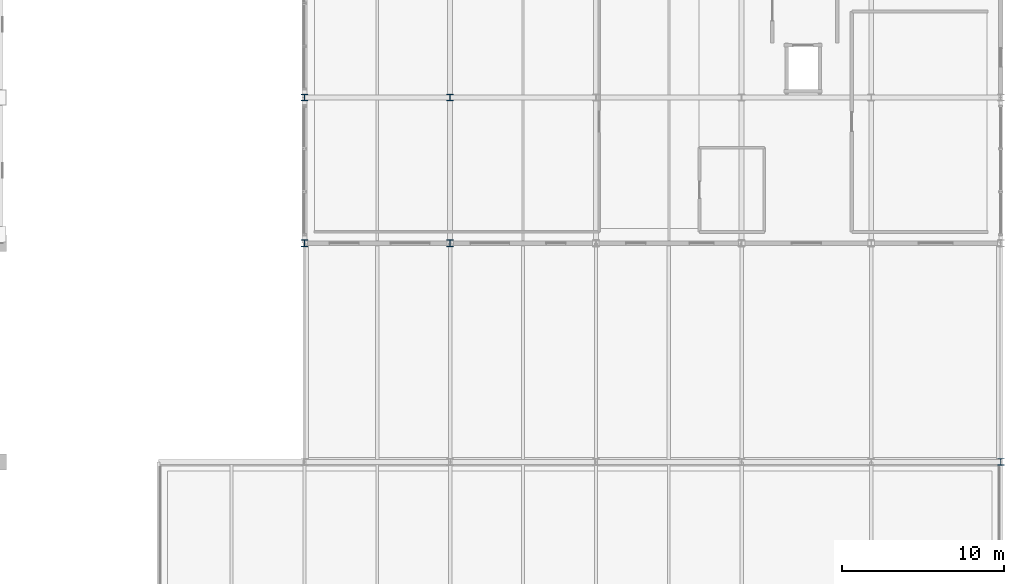
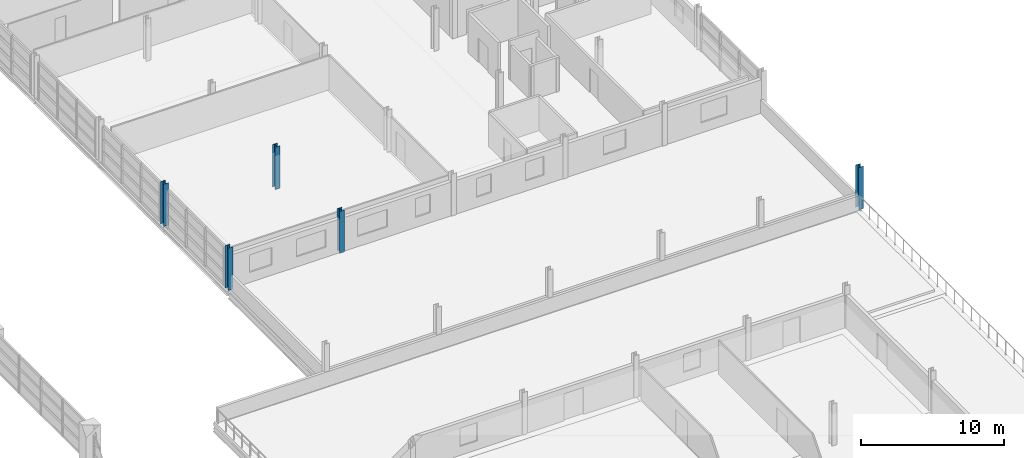
# One storey, part 15 of 116: 5 columns.
"""IFC4 building model written with IfcOpenShell, lengths in metres."""

from ifc_helpers import new_model, si_unit, direction, frame, origin, origin_2d, place, context, subcontext, project, spatial, i_section, extrude, material, material_profile, profile_set, type_object, element, save


model = new_model("IFC4")

# Units and contexts
model_context = context("Model", 3, precision=1e-05, world=origin(), true_north=direction((0.0, 1.0)))
body_context = subcontext(model_context, "Body", "Model", "MODEL_VIEW")
ifc_project = project(units=[si_unit("LENGTHUNIT", "METRE"), si_unit("AREAUNIT", "SQUARE_METRE"), si_unit("VOLUMEUNIT", "CUBIC_METRE"), si_unit("PLANEANGLEUNIT", "RADIAN"), si_unit("MASSUNIT", "GRAM", prefix="KILO")], contexts=[model_context])

# Site, building, storey
site_placement = place(None, origin())
site = spatial("IfcSite", under=ifc_project, at=site_placement, CompositionType="ELEMENT")
building_placement = place(site_placement, origin())
building = spatial("IfcBuilding", under=site, at=building_placement, Name="Chuanluo Vaults Station", CompositionType="ELEMENT")
storey_placement = place(building_placement, frame((0.0, 0.0, 10.800048828125)))
storey = spatial("IfcBuildingStorey", under=building, at=storey_placement, Name="L02", CompositionType="ELEMENT", Elevation=10.800048828125)

# Columns
ifc_material_1 = material(Name="Steel Q355C", Category="steel")
ifc_material_profile_1 = material_profile(ifc_material_1, i_section(OverallWidth=0.39990234375, OverallDepth=0.39990234375, WebThickness=0.012939453125, FlangeThickness=0.02099609375, FilletRadius=0.02197265625, at=origin_2d()))
ifc_profile_set_1 = profile_set([ifc_material_profile_1], Name="Steel Q355C")
column_type_1 = type_object("IfcColumnType", Name="COL-STL-HW400", PredefinedType="COLUMN", material=ifc_profile_set_1)
column_placement = place(storey_placement, frame((188.0, 54.0, 0.0), z_axis=(0.0, 0.0, 1.0), x_axis=(1.0, 0.0, 0.0)))
element("IfcColumn", 1, at=column_placement, inside=storey, type_object=column_type_1, Name="Column L02-167", PredefinedType="COLUMN", context=body_context, shape_type="SweptSolid", body=[
    extrude(i_section(OverallWidth=0.39990234375, OverallDepth=0.39990234375, WebThickness=0.012939453125, FlangeThickness=0.02099609375, FilletRadius=0.02197265625, at=origin_2d()), origin(), (0.0, 0.0, 1.0), 3.599853515625),
])
ifc_material_2 = material(Name="Steel Q355C", Category="steel")
ifc_material_profile_2 = material_profile(ifc_material_2, i_section(OverallWidth=0.39990234375, OverallDepth=0.407958984375, WebThickness=0.02099609375, FlangeThickness=0.02099609375, FilletRadius=0.02197265625, at=origin_2d()))
ifc_profile_set_2 = profile_set([ifc_material_profile_2], Name="Steel Q355C")
column_type_2 = type_object("IfcColumnType", Name="COL-STL-HW408", PredefinedType="COLUMN", material=ifc_profile_set_2)
for number, where, z_axis, x_axis, name in (
    (2, (145.0, 67.5, 0.0), (0.0, 0.0, 1.0), (1.0, 0.0, 0.0), "Column L02-103"),
    (3, (145.0, 76.5, 0.0), (0.0, 0.0, 1.0), (1.0, 0.0, 0.0), "Column L02-104"),
    (4, (154.0, 67.5, 0.0), (0.0, 0.0, 1.0), (1.0, 0.0, 0.0), "Column L02-116"),
    (5, (154.0, 76.5, 0.0), (0.0, 0.0, 1.0), (1.0, 0.0, 0.0), "Column L02-117"),
):
    element("IfcColumn", number, at=place(storey_placement, frame(where, z_axis=z_axis, x_axis=x_axis)), inside=storey, type_object=column_type_2, Name=name, PredefinedType="COLUMN", context=body_context, shape_type="SweptSolid", body=[
        extrude(i_section(OverallWidth=0.39990234375, OverallDepth=0.407958984375, WebThickness=0.02099609375, FlangeThickness=0.02099609375, FilletRadius=0.02197265625, at=origin_2d()), origin(), (0.0, 0.0, 1.0), 3.599853515625),
    ])

save(model, "model.ifc")
